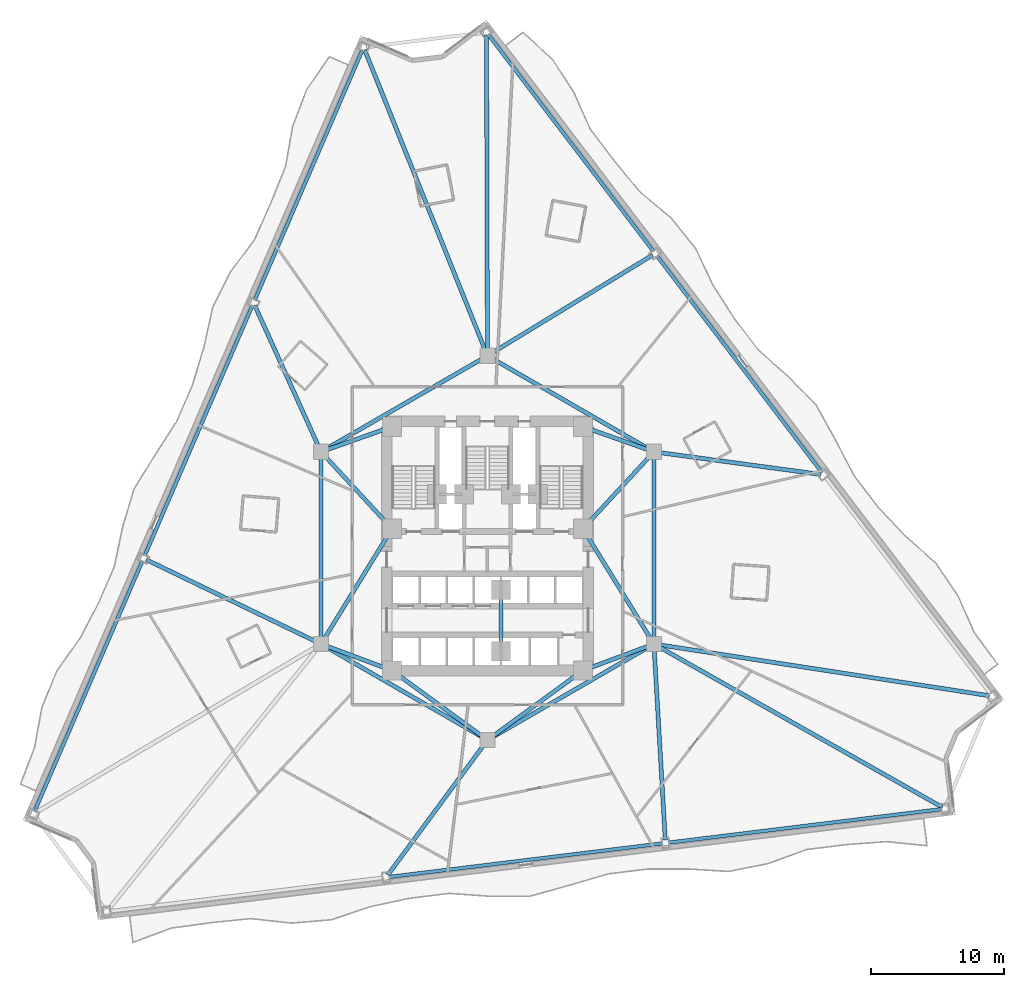
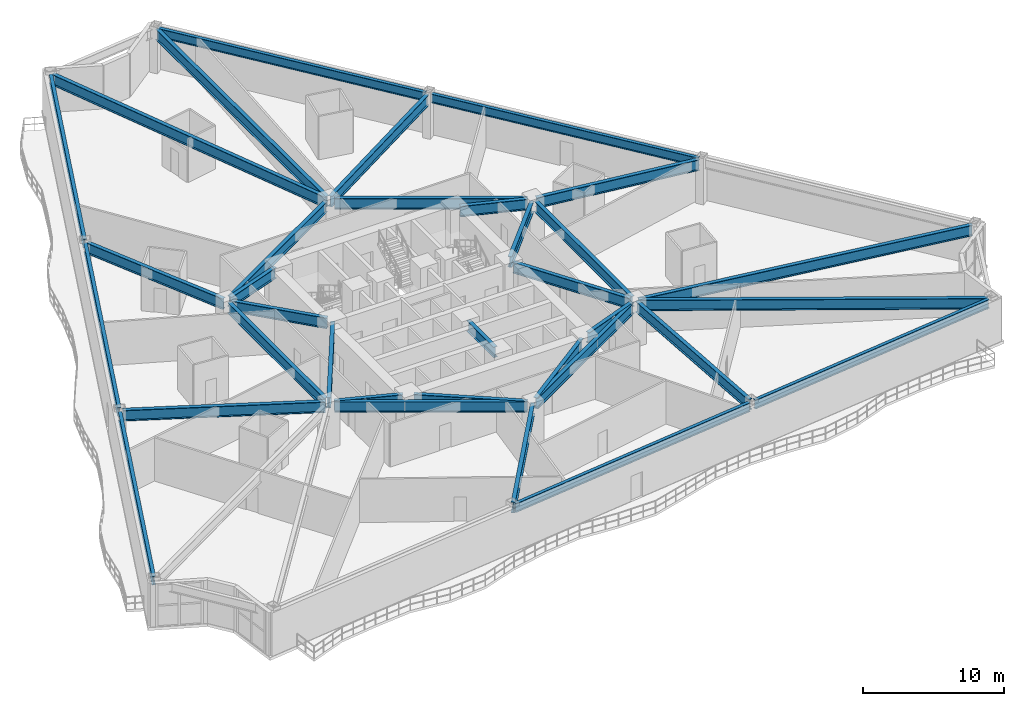
# One storey, part 3 of 17: 34 beams.
"""IFC4 building model written with IfcOpenShell, lengths in metres."""

import ifcopenshell
import ifcopenshell.guid

model = None  # the IFC model being written
_history = None  # IfcOwnerHistory: only IFC2X3 demands one
_inside = {}  # id of a spatial element -> (the spatial element, [elements in it])
_under = {}  # id of a project, library or spatial element -> (it, [spatial elements below it])
_declared = {}  # id of a project -> (the project, [libraries it declares])
_typed = {}  # id of a type object -> (the type object, [elements of that type])
_made_of = {}  # id of a material, layer set ... -> (it, [elements and type objects made of it])


def new_model(schema):
    """Start an empty IFC model of exactly this schema.

    Asked for "IFC4X3", IfcOpenShell would pick the latest addendum, in which some entities
    have other attributes; the version numbers below select the first issue.
    IFC2X3 requires an IfcOwnerHistory on every rooted entity: one is made here for all.
    """
    global model, _history
    if schema == "IFC4X3":
        model = ifcopenshell.file(schema_version=(4, 3, 0, 0))
    else:
        model = ifcopenshell.file(schema=schema)
    _inside.clear()
    _under.clear()
    _declared.clear()
    _typed.clear()
    _made_of.clear()
    _history = None
    if model.schema == "IFC2X3":
        org = make("IfcOrganization", Name="unknown")
        user = make(
            "IfcPersonAndOrganization",
            ThePerson=make("IfcPerson", FamilyName="unknown"),
            TheOrganization=org,
        )
        app = make(
            "IfcApplication",
            ApplicationDeveloper=org,
            Version="unknown",
            ApplicationFullName="unknown",
            ApplicationIdentifier="unknown",
        )
        _history = make(
            "IfcOwnerHistory",
            OwningUser=user,
            OwningApplication=app,
            ChangeAction="ADDED",
            CreationDate=0,
        )
    return model


def make(cls, **values):
    """One entity of the class cls with the attributes given. An attribute that is None is left unset."""
    return model.create_entity(
        cls, **{name: value for name, value in values.items() if value is not None}
    )


def rooted(cls, **values):
    """An entity with a GlobalId (a new one), such as an element, a storey or a relation."""
    return make(cls, GlobalId=ifcopenshell.guid.new(), OwnerHistory=_history, **values)


def si_unit(unit_type, name, prefix=None):
    """IfcSIUnit, for example si_unit("LENGTHUNIT", "METRE", prefix="MILLI")."""
    return make("IfcSIUnit", UnitType=unit_type, Prefix=prefix, Name=name)


def assignment(units):
    """IfcUnitAssignment: the units of a project."""
    return None if units is None else make("IfcUnitAssignment", Units=units)


def point(xyz):
    """IfcCartesianPoint."""
    return None if xyz is None else make("IfcCartesianPoint", Coordinates=xyz)


def direction(xyz):
    """IfcDirection."""
    return None if xyz is None else make("IfcDirection", DirectionRatios=xyz)


def frame(location, z_axis=None, x_axis=None):
    """IfcAxis2Placement3D, a coordinate frame: its origin and axes. An axis left out is left unset."""
    return make(
        "IfcAxis2Placement3D",
        Location=point(location),
        Axis=direction(z_axis),
        RefDirection=direction(x_axis),
    )


def frame_2d(location, x_axis=None):
    """IfcAxis2Placement2D, a coordinate frame in the plane: its origin and x axis."""
    return make(
        "IfcAxis2Placement2D", Location=point(location), RefDirection=direction(x_axis)
    )


def origin():
    """The frame at (0, 0, 0) with its axes left unset."""
    return frame((0.0, 0.0, 0.0))


def origin_2d():
    """The frame at (0, 0) in the plane with its x axis left unset."""
    return frame_2d((0.0, 0.0))


def place(relative_to, where):
    """IfcLocalPlacement: puts the frame where relative to a parent placement (None: the world)."""
    return make(
        "IfcLocalPlacement", PlacementRelTo=relative_to, RelativePlacement=where
    )


def context(
    kind, dimensions, precision=None, world=None, true_north=None, identifier=None
):
    """IfcGeometricRepresentationContext, for example the 3D "Model" context."""
    return make(
        "IfcGeometricRepresentationContext",
        ContextIdentifier=identifier,
        ContextType=kind,
        CoordinateSpaceDimension=dimensions,
        Precision=precision,
        WorldCoordinateSystem=world,
        TrueNorth=true_north,
    )


def subcontext(parent, identifier, kind, view, scale=None):
    """IfcGeometricRepresentationSubContext, for example "Body" below "Model"."""
    return make(
        "IfcGeometricRepresentationSubContext",
        ContextIdentifier=identifier,
        ContextType=kind,
        ParentContext=parent,
        TargetScale=scale,
        TargetView=view,
    )


def project(units=None, contexts=None):
    """IfcProject with its units and contexts."""
    return rooted(
        "IfcProject",
        Name="project",
        RepresentationContexts=contexts,
        UnitsInContext=assignment(units),
    )


def spatial(cls, under=None, at=None, **own):
    """A site, building, storey or space (cls), placed at a placement, below another one or the project."""
    s = rooted(cls, ObjectPlacement=at, **own)
    if under is not None:
        _under.setdefault(under.id(), (under, []))[1].append(s)
    return s


def profile(cls, at=None, kind="AREA", **sizes):
    """A parametric profile (cls). Its sizes go by their IFC names, for example OverallWidth=200.0."""
    return make(cls, ProfileType=kind, Position=at, **sizes)


def i_section(**sizes):
    """IfcIShapeProfileDef."""
    return profile("IfcIShapeProfileDef", **sizes)


def extrude(swept, where, along, depth):
    """IfcExtrudedAreaSolid: the profile swept, set in the frame where, extruded along a direction by depth."""
    return make(
        "IfcExtrudedAreaSolid",
        SweptArea=swept,
        Position=where,
        ExtrudedDirection=direction(along),
        Depth=depth,
    )


def shape(context_of_items, identifier, shape_type, items):
    """IfcShapeRepresentation: the items that make up one representation, for example the "Body"."""
    return make(
        "IfcShapeRepresentation",
        ContextOfItems=context_of_items,
        RepresentationIdentifier=identifier,
        RepresentationType=shape_type,
        Items=items,
    )


def material(Name=None, Category=None):
    """IfcMaterial."""
    return make("IfcMaterial", Name=Name, Category=Category)


def material_profile(
    of_material, cross_section, Name=None, Category=None, Priority=None
):
    """IfcMaterialProfile: a cross section and its material."""
    return make(
        "IfcMaterialProfile",
        Name=Name,
        Material=of_material,
        Profile=cross_section,
        Priority=Priority,
        Category=Category,
    )


def profile_set(profiles, Name=None, composite=None):
    """IfcMaterialProfileSet."""
    return make(
        "IfcMaterialProfileSet",
        Name=Name,
        MaterialProfiles=profiles,
        CompositeProfile=composite,
    )


def made_of(thing, what):
    """Note that an element or type object is made of a material, layer set ...; save() writes the relation."""
    if what is not None:
        _made_of.setdefault(what.id(), (what, []))[1].append(thing)
    return thing


def type_object(cls, material=None, **own):
    """A type object (cls), such as IfcWallType, which elements share."""
    return made_of(rooted(cls, **own), material)


def element(
    cls,
    number,
    at=None,
    inside=None,
    cuts=None,
    type_object=None,
    material=None,
    context=None,
    identifier="Body",
    shape_type=None,
    held_by="IfcProductDefinitionShape",
    body=None,
    shapes=None,
    **own,
):
    """One element of the class cls, such as IfcWall. Its Tag is "e" and its number.

    at: its placement. inside: the storey or other place that contains it. cuts: it is an
    opening in that element (IfcRelVoidsElement). A single representation is given by context,
    identifier, shape_type and body (its items); several are given by shapes. held_by: the class
    of the entity that holds the representations. save() writes the other relations.
    """
    e = rooted(cls, Tag="e%d" % number, ObjectPlacement=at, **own)
    if body is not None:
        shapes = [shape(context, identifier, shape_type, body)]
    if shapes is not None:
        e.Representation = make(held_by, Representations=shapes)
    if inside is not None:
        _inside.setdefault(inside.id(), (inside, []))[1].append(e)
    if cuts is not None:
        rooted(
            "IfcRelVoidsElement", RelatingBuildingElement=cuts, RelatedOpeningElement=e
        )
    if type_object is not None:
        _typed.setdefault(type_object.id(), (type_object, []))[1].append(e)
    return made_of(e, material)


def aggregate(whole, parts):
    """IfcRelAggregates: a whole, such as a stair, and the parts it consists of."""
    return rooted("IfcRelAggregates", RelatingObject=whole, RelatedObjects=parts)


def save(model, path):
    """Write the relations noted so far, then the file.

    IfcRelAggregates (storeys below a building ...), IfcRelContainedInSpatialStructure (elements
    in a storey), IfcRelDefinesByType, IfcRelAssociatesMaterial and IfcRelDeclares: one each for
    every whole, place, type object, material and project.
    """
    for whole, parts in _under.values():
        aggregate(whole, parts)
    for where, things in _inside.values():
        rooted(
            "IfcRelContainedInSpatialStructure",
            RelatedElements=things,
            RelatingStructure=where,
        )
    for kind, things in _typed.values():
        rooted("IfcRelDefinesByType", RelatedObjects=things, RelatingType=kind)
    for what, things in _made_of.values():
        rooted("IfcRelAssociatesMaterial", RelatedObjects=things, RelatingMaterial=what)
    for by, libraries in _declared.values():
        rooted("IfcRelDeclares", RelatingContext=by, RelatedDefinitions=libraries)
    model.write(path)


model = new_model("IFC4")

# Units and contexts
model_context = context("Model", 3, precision=1e-05, world=origin(), true_north=direction((0.0, 1.0)))
body_context = subcontext(model_context, "Body", "Model", "MODEL_VIEW")
ifc_project = project(units=[si_unit("LENGTHUNIT", "METRE"), si_unit("AREAUNIT", "SQUARE_METRE"), si_unit("VOLUMEUNIT", "CUBIC_METRE"), si_unit("PLANEANGLEUNIT", "RADIAN"), si_unit("MASSUNIT", "GRAM", prefix="KILO")], contexts=[model_context])

# Site, building, storey
site_placement = place(None, origin())
site = spatial("IfcSite", under=ifc_project, at=site_placement, CompositionType="ELEMENT")
building_placement = place(site_placement, origin())
building = spatial("IfcBuilding", under=site, at=building_placement, Name="Apsidion Concourse Tower", CompositionType="ELEMENT")
storey_placement = place(building_placement, frame((0.0, 0.0, 75.0)))
storey = spatial("IfcBuildingStorey", under=building, at=storey_placement, Name="L16", CompositionType="ELEMENT", Elevation=75.0)

# Beams
ifc_material = material(Name="Structural steel ASTM A992 Grade 50", Category="steel")
ifc_material_profile_1 = material_profile(ifc_material, i_section(OverallWidth=0.31005859375, OverallDepth=0.931884765625, WebThickness=0.02099609375, FlangeThickness=0.034423828125, at=origin_2d()), Name="W36X210")
ifc_profile_set_1 = profile_set([ifc_material_profile_1], Name="Structural steel ASTM A992 Grade 50")
beam_type_1 = type_object("IfcBeamType", Name="BM-G-W36", PredefinedType="USERDEFINED", material=ifc_profile_set_1)
beam_1_placement = place(storey_placement, frame((-12.185302734375, -7.389892578125, 3.283935546875), z_axis=(0.936913021145, -0.349562570664, 0.0), x_axis=(0.349562570664, 0.936913021145, 0.0)))
element("IfcBeam", 1, at=beam_1_placement, inside=storey, type_object=beam_type_1, Name="L16 Core Coupling Girder IC1-SC1", ObjectType="GIRDER", PredefinedType="USERDEFINED", context=body_context, shape_type="SweptSolid", body=[
    extrude(i_section(OverallWidth=0.31005859375, OverallDepth=0.931884765625, WebThickness=0.02099609375, FlangeThickness=0.034423828125, at=origin_2d()), origin(), (0.0, 0.0, 1.0), 4.921142578125),
])
beam_2_placement = place(storey_placement, frame((-12.35009765625, -6.909423828125, 3.283935546875), z_axis=(0.524524009763, 0.851395656074, 0.0), x_axis=(-0.851395656074, 0.524524009763, 0.0)))
element("IfcBeam", 2, at=beam_2_placement, inside=storey, type_object=beam_type_1, Name="L16 Core Coupling Girder IC1-SC6", ObjectType="GIRDER", PredefinedType="USERDEFINED", context=body_context, shape_type="SweptSolid", body=[
    extrude(i_section(OverallWidth=0.31005859375, OverallDepth=0.931884765625, WebThickness=0.02099609375, FlangeThickness=0.034423828125, at=origin_2d()), origin(), (0.0, 0.0, 1.0), 9.41845703125),
])
beam_3_placement = place(storey_placement, frame((12.185302734375, -7.389892578125, 3.283935546875), z_axis=(-0.936913021145, -0.349562570664, 0.0), x_axis=(0.349562570664, -0.936913021145, 0.0)))
element("IfcBeam", 3, at=beam_3_placement, inside=storey, type_object=beam_type_1, Name="L16 Core Coupling Girder IC2-SC2", ObjectType="GIRDER", PredefinedType="USERDEFINED", context=body_context, shape_type="SweptSolid", body=[
    extrude(i_section(OverallWidth=0.31005859375, OverallDepth=0.931884765625, WebThickness=0.02099609375, FlangeThickness=0.034423828125, at=origin_2d()), origin(), (0.0, 0.0, 1.0), 4.921142578125),
])
beam_4_placement = place(storey_placement, frame((12.35009765625, -6.909423828125, 3.283935546875), z_axis=(-0.524524009763, 0.851395656074, 0.0), x_axis=(-0.851395656074, -0.524524009763, 0.0)))
element("IfcBeam", 4, at=beam_4_placement, inside=storey, type_object=beam_type_1, Name="L16 Core Coupling Girder IC2-SC3", ObjectType="GIRDER", PredefinedType="USERDEFINED", context=body_context, shape_type="SweptSolid", body=[
    extrude(i_section(OverallWidth=0.31005859375, OverallDepth=0.931884765625, WebThickness=0.02099609375, FlangeThickness=0.034423828125, at=origin_2d()), origin(), (0.0, 0.0, 1.0), 9.41845703125),
])
beam_5_placement = place(storey_placement, frame((12.28857421875, 6.956298828125, 3.283935546875), z_axis=(-0.678712876106, -0.73440372535, 0.0), x_axis=(0.73440372535, -0.678712876106, 0.0)))
element("IfcBeam", 5, at=beam_5_placement, inside=storey, type_object=beam_type_1, Name="L16 Core Coupling Girder IC3-SC3", ObjectType="GIRDER", PredefinedType="USERDEFINED", context=body_context, shape_type="SweptSolid", body=[
    extrude(i_section(OverallWidth=0.31005859375, OverallDepth=0.931884765625, WebThickness=0.02099609375, FlangeThickness=0.034423828125, at=origin_2d()), origin(), (0.0, 0.0, 1.0), 7.097412109375),
])
beam_6_placement = place(storey_placement, frame((12.18310546875, 7.383544921875, 3.283935546875), z_axis=(-0.942533844539, 0.334110688094, 0.0), x_axis=(-0.334110688094, -0.942533844539, 0.0)))
element("IfcBeam", 6, at=beam_6_placement, inside=storey, type_object=beam_type_1, Name="L16 Core Coupling Girder IC3-SC4", ObjectType="GIRDER", PredefinedType="USERDEFINED", context=body_context, shape_type="SweptSolid", body=[
    extrude(i_section(OverallWidth=0.31005859375, OverallDepth=0.931884765625, WebThickness=0.02099609375, FlangeThickness=0.034423828125, at=origin_2d()), origin(), (0.0, 0.0, 1.0), 4.886962890625),
])
beam_7_placement = place(storey_placement, frame((-12.28857421875, 6.956298828125, 3.283935546875), z_axis=(0.678712876106, -0.73440372535, 0.0), x_axis=(0.73440372535, 0.678712876106, 0.0)))
element("IfcBeam", 7, at=beam_7_placement, inside=storey, type_object=beam_type_1, Name="L16 Core Coupling Girder IC5-SC6", ObjectType="GIRDER", PredefinedType="USERDEFINED", context=body_context, shape_type="SweptSolid", body=[
    extrude(i_section(OverallWidth=0.31005859375, OverallDepth=0.931884765625, WebThickness=0.02099609375, FlangeThickness=0.034423828125, at=origin_2d()), origin(), (0.0, 0.0, 1.0), 7.097412109375),
])
beam_8_placement = place(storey_placement, frame((-12.18310546875, 7.383544921875, 3.283935546875), z_axis=(0.942533844539, 0.334110688094, 0.0), x_axis=(-0.334110688094, 0.942533844539, 0.0)))
element("IfcBeam", 8, at=beam_8_placement, inside=storey, type_object=beam_type_1, Name="L16 Core Coupling Girder IC5-SC5", ObjectType="GIRDER", PredefinedType="USERDEFINED", context=body_context, shape_type="SweptSolid", body=[
    extrude(i_section(OverallWidth=0.31005859375, OverallDepth=0.931884765625, WebThickness=0.02099609375, FlangeThickness=0.034423828125, at=origin_2d()), origin(), (0.0, 0.0, 1.0), 4.886962890625),
])
for number, where, z_axis, x_axis, name in (
    (9, (-0.3232421875, -14.264404296875, 3.283935546875), (-0.807993498909, 0.589191399905, 0.0), (-0.589191399905, -0.807993498909, 0.0), "L16 Core Coupling Girder IC6-SC1"),
    (10, (0.3232421875, -14.264404296875, 3.283935546875), (0.807993498909, 0.589191399905, 0.0), (-0.589191399905, 0.807993498909, 0.0), "L16 Core Coupling Girder IC6-SC2"),
):
    element("IfcBeam", number, at=place(storey_placement, frame(where, z_axis=z_axis, x_axis=x_axis)), inside=storey, type_object=beam_type_1, Name=name, ObjectType="GIRDER", PredefinedType="USERDEFINED", context=body_context, shape_type="SweptSolid", body=[
        extrude(i_section(OverallWidth=0.31005859375, OverallDepth=0.931884765625, WebThickness=0.02099609375, FlangeThickness=0.034423828125, at=origin_2d()), origin(), (0.0, 0.0, 1.0), 8.11083984375),
    ])
beam_9_placement = place(storey_placement, frame((-12.56005859375, -6.85009765625, 3.283935546875), z_axis=(0.0, 1.0, 0.0), x_axis=(-1.0, 0.0, 0.0)))
element("IfcBeam", 11, at=beam_9_placement, inside=storey, type_object=beam_type_1, Name="L16 Core Coupling Girder IC1-IC5", ObjectType="GIRDER", PredefinedType="USERDEFINED", context=body_context, shape_type="SweptSolid", body=[
    extrude(i_section(OverallWidth=0.31005859375, OverallDepth=0.931884765625, WebThickness=0.02099609375, FlangeThickness=0.034423828125, at=origin_2d()), origin(), (0.0, 0.0, 1.0), 13.7001953125),
])
for number, where, z_axis, x_axis, name in (
    (12, (-12.213623046875, 7.449951171875, 3.283935546875), (0.866070471464, 0.499921932364, 0.0), (-0.499921932364, 0.866070471464, 0.0), "L16 Core Coupling Girder IC5-IC4"),
    (13, (0.346435546875, 14.300048828125, 3.283935546875), (0.866070471464, -0.499921932364, 0.0), (0.499921932364, 0.866070471464, 0.0), "L16 Core Coupling Girder IC4-IC3"),
):
    element("IfcBeam", number, at=place(storey_placement, frame(where, z_axis=z_axis, x_axis=x_axis)), inside=storey, type_object=beam_type_1, Name=name, ObjectType="GIRDER", PredefinedType="USERDEFINED", context=body_context, shape_type="SweptSolid", body=[
        extrude(i_section(OverallWidth=0.31005859375, OverallDepth=0.931884765625, WebThickness=0.02099609375, FlangeThickness=0.034423828125, at=origin_2d()), origin(), (0.0, 0.0, 1.0), 13.702392578125),
    ])
beam_10_placement = place(storey_placement, frame((12.56005859375, 6.85009765625, 3.283935546875), z_axis=(0.0, -1.0, 0.0), x_axis=(1.0, 0.0, 0.0)))
element("IfcBeam", 14, at=beam_10_placement, inside=storey, type_object=beam_type_1, Name="L16 Core Coupling Girder IC3-IC2", ObjectType="GIRDER", PredefinedType="USERDEFINED", context=body_context, shape_type="SweptSolid", body=[
    extrude(i_section(OverallWidth=0.31005859375, OverallDepth=0.931884765625, WebThickness=0.02099609375, FlangeThickness=0.034423828125, at=origin_2d()), origin(), (0.0, 0.0, 1.0), 13.7001953125),
])
for number, where, z_axis, x_axis, name in (
    (15, (12.213623046875, -7.449951171875, 3.283935546875), (-0.866070471464, -0.499921932364, 0.0), (0.499921932364, -0.866070471464, 0.0), "L16 Core Coupling Girder IC2-IC6"),
    (16, (-0.346435546875, -14.300048828125, 3.283935546875), (-0.866070471464, 0.499921932364, 0.0), (-0.499921932364, -0.866070471464, 0.0), "L16 Core Coupling Girder IC6-IC1"),
):
    element("IfcBeam", number, at=place(storey_placement, frame(where, z_axis=z_axis, x_axis=x_axis)), inside=storey, type_object=beam_type_1, Name=name, ObjectType="GIRDER", PredefinedType="USERDEFINED", context=body_context, shape_type="SweptSolid", body=[
        extrude(i_section(OverallWidth=0.31005859375, OverallDepth=0.931884765625, WebThickness=0.02099609375, FlangeThickness=0.034423828125, at=origin_2d()), origin(), (0.0, 0.0, 1.0), 13.702392578125),
    ])
beam_11_placement = place(storey_placement, frame((1.02490234375, -3.550048828125, 3.283935546875), z_axis=(0.0, -1.0, 0.0), x_axis=(1.0, 0.0, 0.0)))
element("IfcBeam", 17, at=beam_11_placement, inside=storey, type_object=beam_type_1, Name="L16 Core Coupling Girder CC5-CC6", ObjectType="GIRDER", PredefinedType="USERDEFINED", context=body_context, shape_type="SweptSolid", body=[
    extrude(i_section(OverallWidth=0.31005859375, OverallDepth=0.931884765625, WebThickness=0.02099609375, FlangeThickness=0.034423828125, at=origin_2d()), origin(), (0.0, 0.0, 1.0), 3.849853515625),
])
beam_12_placement = place(storey_placement, frame((-0.08203125, 14.7041015625, 3.283935546875), z_axis=(-0.372538285094, 0.928016824276, 0.0), x_axis=(-0.928016824276, -0.372538285094, 0.0)))
element("IfcBeam", 18, at=beam_12_placement, inside=storey, type_object=beam_type_1, Name="L16 Radial Floor Girder RAD-01", ObjectType="GIRDER", PredefinedType="USERDEFINED", context=body_context, shape_type="SweptSolid", body=[
    extrude(i_section(OverallWidth=0.31005859375, OverallDepth=0.931884765625, WebThickness=0.02099609375, FlangeThickness=0.034423828125, at=origin_2d()), origin(), (0.0, 0.0, 1.0), 24.642333984375),
])
beam_13_placement = place(storey_placement, frame((-12.650634765625, 7.450439453125, 3.283935546875), z_axis=(-0.412253816474, 0.911069037342, 0.0), x_axis=(-0.911069037342, -0.412253816474, 0.0)))
element("IfcBeam", 19, at=beam_13_placement, inside=storey, type_object=beam_type_1, Name="L16 Radial Floor Girder RAD-02", ObjectType="GIRDER", PredefinedType="USERDEFINED", context=body_context, shape_type="SweptSolid", body=[
    extrude(i_section(OverallWidth=0.31005859375, OverallDepth=0.931884765625, WebThickness=0.02099609375, FlangeThickness=0.034423828125, at=origin_2d()), origin(), (0.0, 0.0, 1.0), 11.90234375),
])
beam_14_placement = place(storey_placement, frame((-12.758056640625, -7.154296875, 3.283935546875), z_axis=(-0.900619466143, 0.434608533286, 0.0), x_axis=(-0.434608533286, -0.900619466143, 0.0)))
element("IfcBeam", 20, at=beam_14_placement, inside=storey, type_object=beam_type_1, Name="L16 Radial Floor Girder RAD-03", ObjectType="GIRDER", PredefinedType="USERDEFINED", context=body_context, shape_type="SweptSolid", body=[
    extrude(i_section(OverallWidth=0.31005859375, OverallDepth=0.931884765625, WebThickness=0.02099609375, FlangeThickness=0.034423828125, at=origin_2d()), origin(), (0.0, 0.0, 1.0), 14.4296875),
])
beam_15_placement = place(storey_placement, frame((-0.130615234375, -14.677001953125, 3.283935546875), z_axis=(-0.594039313688, -0.804436009757, 0.0), x_axis=(0.804436009757, -0.594039313688, 0.0)))
element("IfcBeam", 21, at=beam_15_placement, inside=storey, type_object=beam_type_1, Name="L16 Radial Floor Girder RAD-06", ObjectType="GIRDER", PredefinedType="USERDEFINED", context=body_context, shape_type="SweptSolid", body=[
    extrude(i_section(OverallWidth=0.31005859375, OverallDepth=0.931884765625, WebThickness=0.02099609375, FlangeThickness=0.034423828125, at=origin_2d()), origin(), (0.0, 0.0, 1.0), 12.43359375),
])
beam_16_placement = place(storey_placement, frame((12.57275390625, -7.469482421875, 3.283935546875), z_axis=(0.058062445762, -0.998312953133, 0.0), x_axis=(0.998312953133, 0.058062445762, 0.0)))
element("IfcBeam", 22, at=beam_16_placement, inside=storey, type_object=beam_type_1, Name="L16 Radial Floor Girder RAD-07", ObjectType="GIRDER", PredefinedType="USERDEFINED", context=body_context, shape_type="SweptSolid", body=[
    extrude(i_section(OverallWidth=0.31005859375, OverallDepth=0.931884765625, WebThickness=0.02099609375, FlangeThickness=0.034423828125, at=origin_2d()), origin(), (0.0, 0.0, 1.0), 14.603271484375),
])
beam_17_placement = place(storey_placement, frame((12.75146484375, -7.3583984375, 3.283935546875), z_axis=(0.870218136179, -0.492666616958, 0.0), x_axis=(0.492666616958, 0.870218136179, 0.0)))
element("IfcBeam", 23, at=beam_17_placement, inside=storey, type_object=beam_type_1, Name="L16 Radial Floor Girder RAD-08", ObjectType="GIRDER", PredefinedType="USERDEFINED", context=body_context, shape_type="SweptSolid", body=[
    extrude(i_section(OverallWidth=0.31005859375, OverallDepth=0.931884765625, WebThickness=0.02099609375, FlangeThickness=0.034423828125, at=origin_2d()), origin(), (0.0, 0.0, 1.0), 24.788330078125),
])
beam_18_placement = place(storey_placement, frame((12.77734375, -7.283447265625, 3.283935546875), z_axis=(0.98832519419, -0.152359149806, 0.0), x_axis=(0.152359149806, 0.98832519419, 0.0)))
element("IfcBeam", 24, at=beam_18_placement, inside=storey, type_object=beam_type_1, Name="L16 Radial Floor Girder RAD-09", ObjectType="GIRDER", PredefinedType="USERDEFINED", context=body_context, shape_type="SweptSolid", body=[
    extrude(i_section(OverallWidth=0.31005859375, OverallDepth=0.931884765625, WebThickness=0.02099609375, FlangeThickness=0.034423828125, at=origin_2d()), origin(), (0.0, 0.0, 1.0), 25.394775390625),
])
beam_19_placement = place(storey_placement, frame((12.778076171875, 7.220458984375, 3.283935546875), z_axis=(0.990945318587, -0.134266062618, 0.0), x_axis=(0.134266062618, 0.990945318587, 0.0)))
element("IfcBeam", 25, at=beam_19_placement, inside=storey, type_object=beam_type_1, Name="L16 Radial Floor Girder RAD-10", ObjectType="GIRDER", PredefinedType="USERDEFINED", context=body_context, shape_type="SweptSolid", body=[
    extrude(i_section(OverallWidth=0.31005859375, OverallDepth=0.931884765625, WebThickness=0.02099609375, FlangeThickness=0.034423828125, at=origin_2d()), origin(), (0.0, 0.0, 1.0), 12.48828125),
])
beam_20_placement = place(storey_placement, frame((0.187744140625, 14.614501953125, 3.283935546875), z_axis=(0.853749961822, 0.520683207611, 0.0), x_axis=(-0.520683207611, 0.853749961822, 0.0)))
element("IfcBeam", 26, at=beam_20_placement, inside=storey, type_object=beam_type_1, Name="L16 Radial Floor Girder RAD-11", ObjectType="GIRDER", PredefinedType="USERDEFINED", context=body_context, shape_type="SweptSolid", body=[
    extrude(i_section(OverallWidth=0.31005859375, OverallDepth=0.931884765625, WebThickness=0.02099609375, FlangeThickness=0.034423828125, at=origin_2d()), origin(), (0.0, 0.0, 1.0), 14.37646484375),
])
beam_21_placement = place(storey_placement, frame((-0.000732421875, 14.719970703125, 3.283935546875), z_axis=(-0.002953053731, 0.999995639727, 0.0), x_axis=(-0.999995639727, -0.002953053731, 0.0)))
element("IfcBeam", 27, at=beam_21_placement, inside=storey, type_object=beam_type_1, Name="L16 Radial Floor Girder RAD-12", ObjectType="GIRDER", PredefinedType="USERDEFINED", context=body_context, shape_type="SweptSolid", body=[
    extrude(i_section(OverallWidth=0.31005859375, OverallDepth=0.931884765625, WebThickness=0.02099609375, FlangeThickness=0.034423828125, at=origin_2d()), origin(), (0.0, 0.0, 1.0), 23.975341796875),
])
ifc_material_profile_2 = material_profile(ifc_material, i_section(OverallWidth=0.26806640625, OverallDepth=0.77001953125, WebThickness=0.015625, FlangeThickness=0.025390625, at=origin_2d()), Name="W30X132")
ifc_profile_set_2 = profile_set([ifc_material_profile_2], Name="Structural steel ASTM A992 Grade 50")
beam_type_2 = type_object("IfcBeamType", Name="BM-SP-W30", PredefinedType="SPANDREL", material=ifc_profile_set_2)
beam_22_placement = place(storey_placement, frame((-9.431396484375, 37.57470703125, 3.364990234375), z_axis=(-0.395525708749, -0.918454905653, 0.0), x_axis=(0.918454905653, -0.395525708749, 0.0)))
element("IfcBeam", 28, at=beam_22_placement, inside=storey, type_object=beam_type_2, Name="L16 Perimeter Spandrel Girder SP-01", PredefinedType="SPANDREL", context=body_context, shape_type="SweptSolid", body=[
    extrude(i_section(OverallWidth=0.26806640625, OverallDepth=0.77001953125, WebThickness=0.015625, FlangeThickness=0.025390625, at=origin_2d()), origin(), (0.0, 0.0, 1.0), 20.553955078125),
])
beam_23_placement = place(storey_placement, frame((-17.735107421875, 18.29248046875, 3.364990234375), z_axis=(-0.395530023745, -0.918453047421, 0.0), x_axis=(0.918453047421, -0.395530023745, 0.0)))
element("IfcBeam", 29, at=beam_23_placement, inside=storey, type_object=beam_type_2, Name="L16 Perimeter Spandrel Girder SP-02", PredefinedType="SPANDREL", context=body_context, shape_type="SweptSolid", body=[
    extrude(i_section(OverallWidth=0.26806640625, OverallDepth=0.77001953125, WebThickness=0.015625, FlangeThickness=0.025390625, at=origin_2d()), origin(), (0.0, 0.0, 1.0), 20.5537109375),
])
beam_24_placement = place(storey_placement, frame((-26.038818359375, -0.989501953125, 3.364990234375), z_axis=(-0.395525708749, -0.918454905653, 0.0), x_axis=(0.918454905653, -0.395525708749, 0.0)))
element("IfcBeam", 30, at=beam_24_placement, inside=storey, type_object=beam_type_2, Name="L16 Perimeter Spandrel Girder SP-03", PredefinedType="SPANDREL", context=body_context, shape_type="SweptSolid", body=[
    extrude(i_section(OverallWidth=0.26806640625, OverallDepth=0.77001953125, WebThickness=0.015625, FlangeThickness=0.025390625, at=origin_2d()), origin(), (0.0, 0.0, 1.0), 20.553955078125),
])
for number, where, z_axis, x_axis, name in (
    (31, (-7.428955078125, -24.8291015625, 3.364990234375), (0.992546743565, 0.121864522478, 0.0), (-0.121864522478, 0.992546743565, 0.0), "L16 Perimeter Spandrel Girder SP-06"),
    (32, (13.65185546875, -22.24072265625, 3.364990234375), (0.992546743565, 0.121864522478, 0.0), (-0.121864522478, 0.992546743565, 0.0), "L16 Perimeter Spandrel Girder SP-07"),
):
    element("IfcBeam", number, at=place(storey_placement, frame(where, z_axis=z_axis, x_axis=x_axis)), inside=storey, type_object=beam_type_2, Name=name, PredefinedType="SPANDREL", context=body_context, shape_type="SweptSolid", body=[
        extrude(i_section(OverallWidth=0.26806640625, OverallDepth=0.77001953125, WebThickness=0.015625, FlangeThickness=0.025390625, at=origin_2d()), origin(), (0.0, 0.0, 1.0), 20.799072265625),
    ])
for number, where, z_axis, x_axis, name in (
    (33, (25.238037109375, 5.689208984375, 3.364990234375), (-0.605973428299, 0.795484886215, 0.0), (-0.795484886215, -0.605973428299, 0.0), "L16 Perimeter Spandrel Girder SP-10"),
    (34, (12.51611328125, 22.3896484375, 3.364990234375), (-0.605965911945, 0.795490611862, 0.0), (-0.795490611862, -0.605965911945, 0.0), "L16 Perimeter Spandrel Girder SP-11"),
):
    element("IfcBeam", number, at=place(storey_placement, frame(where, z_axis=z_axis, x_axis=x_axis)), inside=storey, type_object=beam_type_2, Name=name, PredefinedType="SPANDREL", context=body_context, shape_type="SweptSolid", body=[
        extrude(i_section(OverallWidth=0.26806640625, OverallDepth=0.77001953125, WebThickness=0.015625, FlangeThickness=0.025390625, at=origin_2d()), origin(), (0.0, 0.0, 1.0), 20.55419921875),
    ])

save(model, "model.ifc")
